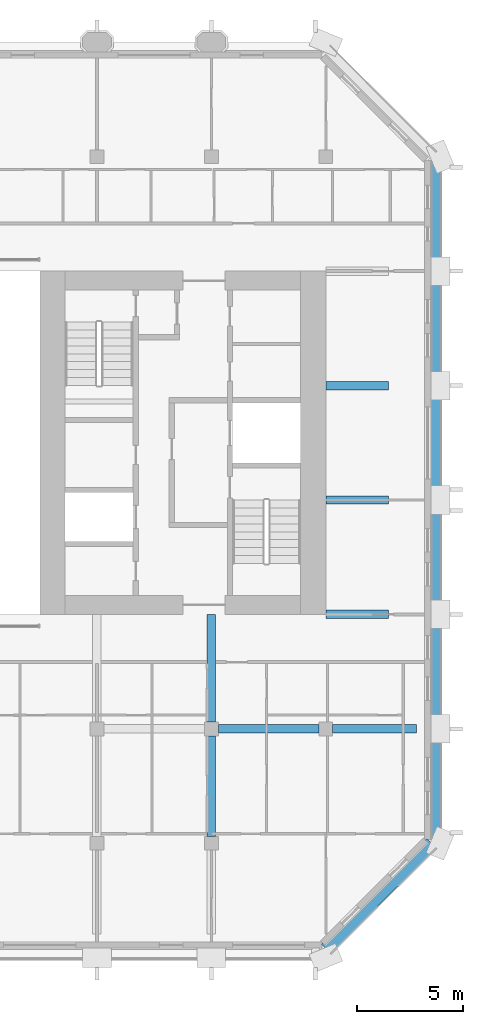
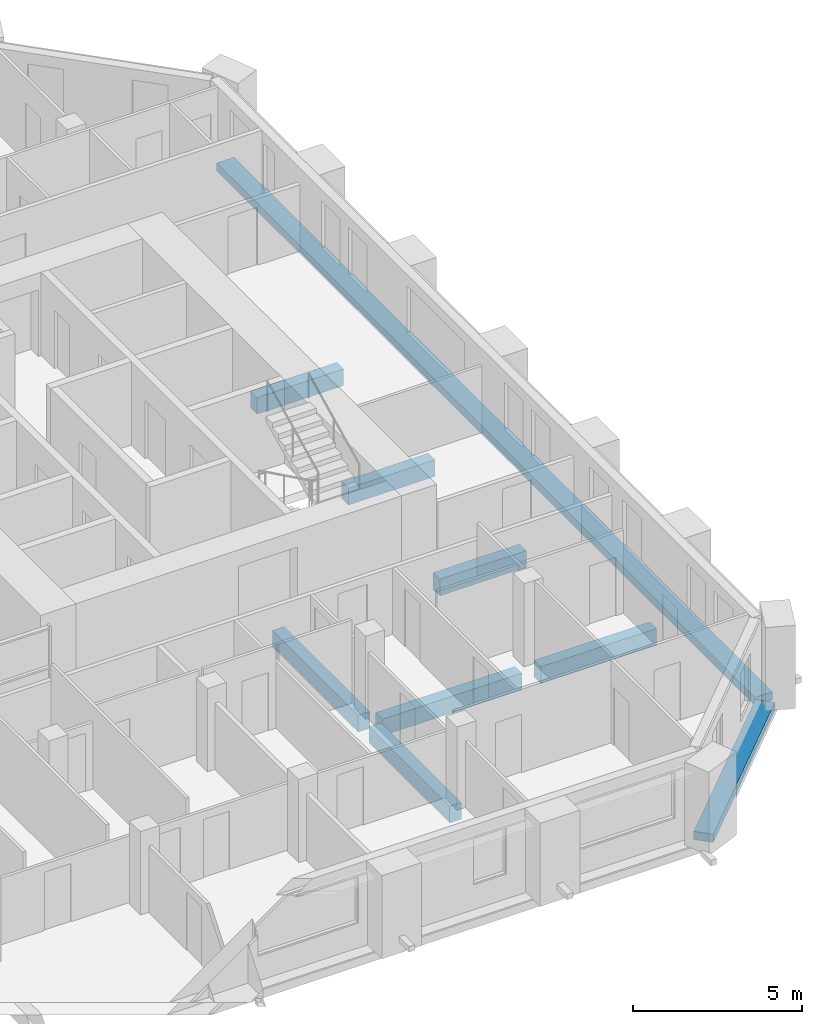
# One storey, part 3 of 14: 9 beams.
"""IFC4 building model written with IfcOpenShell, lengths in metres."""

from ifc_helpers import new_model, si_unit, direction, frame, origin, origin_2d, place, context, subcontext, project, spatial, rectangle, extrude, material, material_profile, profile_set, type_object, element, save


model = new_model("IFC4")

# Units and contexts
model_context = context("Model", 3, precision=1e-05, world=origin(), true_north=direction((0.0, 1.0)))
body_context = subcontext(model_context, "Body", "Model", "MODEL_VIEW")
ifc_project = project(units=[si_unit("LENGTHUNIT", "METRE"), si_unit("AREAUNIT", "SQUARE_METRE"), si_unit("VOLUMEUNIT", "CUBIC_METRE"), si_unit("PLANEANGLEUNIT", "RADIAN"), si_unit("MASSUNIT", "GRAM", prefix="KILO")], contexts=[model_context])

# Site, building, storey
site_placement = place(None, origin())
site = spatial("IfcSite", under=ifc_project, at=site_placement, CompositionType="ELEMENT")
building_placement = place(site_placement, origin())
building = spatial("IfcBuilding", under=site, at=building_placement, Name="Tabaq Tower and Sports Hall", CompositionType="ELEMENT")
storey_placement = place(building_placement, frame((0.0, 0.0, 281.800048828125)))
storey = spatial("IfcBuildingStorey", under=building, at=storey_placement, Name="L69", CompositionType="ELEMENT", Elevation=281.800048828125)

# Beams
ifc_material_1 = material(Name="Concrete C40/50", Category="concrete")
ifc_material_profile_1 = material_profile(ifc_material_1, rectangle(XDim=0.39990234375, YDim=0.60009765625, at=origin_2d()), Name="CB 400x600")
ifc_profile_set_1 = profile_set([ifc_material_profile_1], Name="Concrete C40/50")
beam_type_1 = type_object("IfcBeamType", Name="PT CANTILEVER BEAM CB 400x600 C40/50", PredefinedType="BEAM", material=ifc_profile_set_1)
beam_1_placement = place(storey_placement, frame((47.47509765625, 10.800048828125, -0.60009765625), z_axis=(-1.0, 0.0, 0.0), x_axis=(0.0, -1.0, 0.0)))
element("IfcBeam", 1, at=beam_1_placement, inside=storey, type_object=beam_type_1, Name="Cantilever Beam L69 E2 span 1", PredefinedType="BEAM", context=body_context, shape_type="SweptSolid", body=[
    extrude(rectangle(XDim=0.39990234375, YDim=0.60009765625, at=origin_2d()), origin(), (0.0, 0.0, 1.0), 3.9501953125),
])
beam_2_placement = place(storey_placement, frame((42.875, 10.800048828125, -0.60009765625), z_axis=(-1.0, 0.0, 0.0), x_axis=(0.0, -1.0, 0.0)))
element("IfcBeam", 2, at=beam_2_placement, inside=storey, type_object=beam_type_1, Name="Cantilever Beam L69 E2 span 2", PredefinedType="BEAM", context=body_context, shape_type="SweptSolid", body=[
    extrude(rectangle(XDim=0.39990234375, YDim=0.60009765625, at=origin_2d()), origin(), (0.0, 0.0, 1.0), 4.75),
])
for number, where, z_axis, x_axis, name in (
    (3, (46.14990234375, 16.199951171875, -0.60009765625), (-1.0, 0.0, 0.0), (0.0, -1.0, 0.0), "Cantilever Beam L69 E3 span 1"),
    (4, (46.14990234375, 21.60009765625, -0.60009765625), (-1.0, 0.0, 0.0), (0.0, -1.0, 0.0), "Cantilever Beam L69 E4 span 1"),
    (5, (46.14990234375, 27.0, -0.60009765625), (-1.0, 0.0, 0.0), (0.0, -1.0, 0.0), "Cantilever Beam L69 E5 span 1"),
):
    element("IfcBeam", number, at=place(storey_placement, frame(where, z_axis=z_axis, x_axis=x_axis)), inside=storey, type_object=beam_type_1, Name=name, PredefinedType="BEAM", context=body_context, shape_type="SweptSolid", body=[
        extrude(rectangle(XDim=0.39990234375, YDim=0.60009765625, at=origin_2d()), origin(), (0.0, 0.0, 1.0), 2.949951171875),
    ])
beam_3_placement = place(storey_placement, frame((37.800048828125, 5.72509765625, -0.60009765625), z_axis=(0.0, 1.0, 0.0), x_axis=(-1.0, 0.0, 0.0)))
element("IfcBeam", 6, at=beam_3_placement, inside=storey, type_object=beam_type_1, Name="Cantilever Beam L69 S7 span 2", PredefinedType="BEAM", context=body_context, shape_type="SweptSolid", body=[
    extrude(rectangle(XDim=0.39990234375, YDim=0.60009765625, at=origin_2d()), origin(), (0.0, 0.0, 1.0), 4.75),
])
beam_4_placement = place(storey_placement, frame((37.800048828125, 11.125, -0.60009765625), z_axis=(0.0, 1.0, 0.0), x_axis=(-1.0, 0.0, 0.0)))
element("IfcBeam", 7, at=beam_4_placement, inside=storey, type_object=beam_type_1, Name="Cantilever Beam L69 S7 span 3", PredefinedType="BEAM", context=body_context, shape_type="SweptSolid", body=[
    extrude(rectangle(XDim=0.39990234375, YDim=0.60009765625, at=origin_2d()), origin(), (0.0, 0.0, 1.0), 5.074951171875),
])
ifc_material_2 = material(Name="Concrete C40/50", Category="concrete")
ifc_material_profile_2 = material_profile(ifc_material_2, rectangle(XDim=0.60009765625, YDim=0.300048828125, at=origin_2d()), Name="EB 600x300")
ifc_profile_set_2 = profile_set([ifc_material_profile_2], Name="Concrete C40/50")
beam_type_2 = type_object("IfcBeamType", Name="PT EDGE BEAM EB 600x300 C40/50", PredefinedType="SPANDREL", material=ifc_profile_set_2)
beam_5_placement = place(storey_placement, frame((43.198974609375, 0.42333984375, -0.150146484375), z_axis=(0.707106781187, 0.707106781187, 0.0), x_axis=(-0.707106781187, 0.707106781187, 0.0)))
element("IfcBeam", 8, at=beam_5_placement, inside=storey, type_object=beam_type_2, Name="Edge Beam L69 2", PredefinedType="SPANDREL", context=body_context, shape_type="SweptSolid", body=[
    extrude(rectangle(XDim=0.60009765625, YDim=0.300048828125, at=origin_2d()), origin(), (0.0, 0.0, 1.0), 7.03955078125),
])
beam_6_placement = place(storey_placement, frame((48.300048828125, 5.698486328125, -0.150146484375), z_axis=(0.0, 1.0, 0.0), x_axis=(-1.0, 0.0, 0.0)))
element("IfcBeam", 9, at=beam_6_placement, inside=storey, type_object=beam_type_2, Name="Edge Beam L69 3", PredefinedType="SPANDREL", context=body_context, shape_type="SweptSolid", body=[
    extrude(rectangle(XDim=0.60009765625, YDim=0.300048828125, at=origin_2d()), origin(), (0.0, 0.0, 1.0), 31.802978515625),
])

save(model, "model.ifc")
